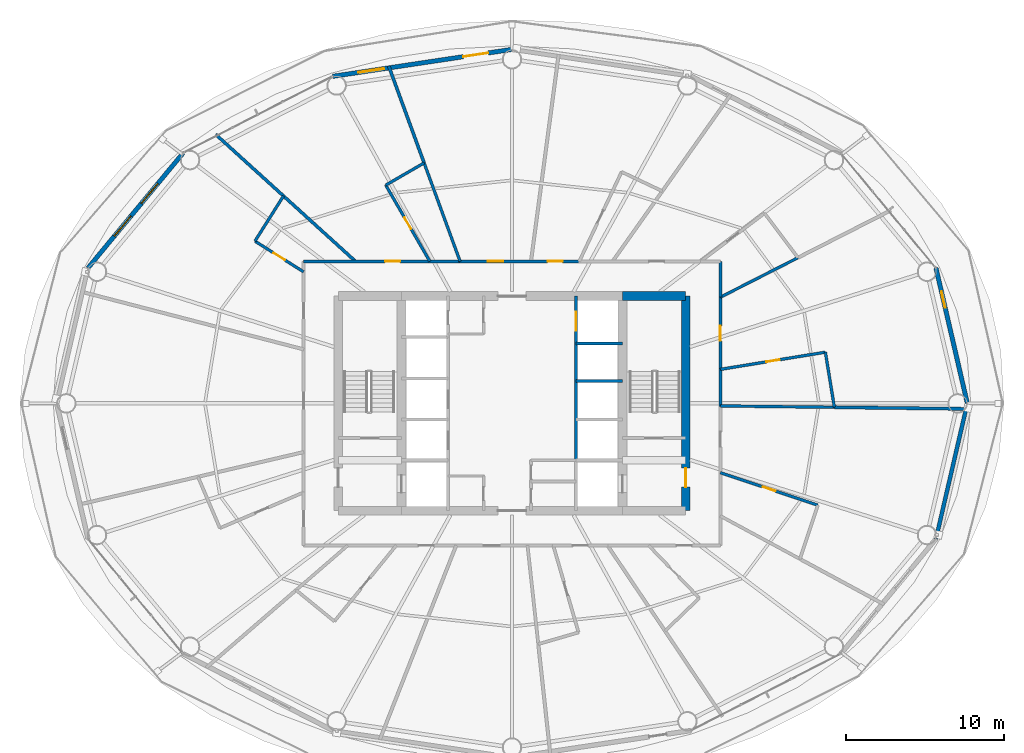
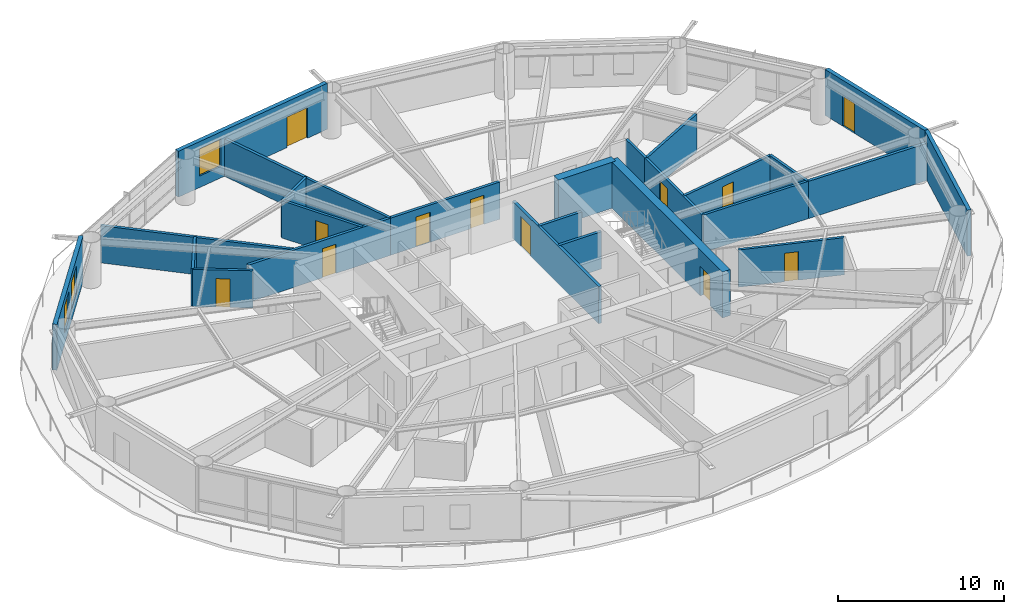
# One storey, part 20 of 24: 26 walls, 12 doors, 3 windows, 15 openings.
"""IFC4 building model written with IfcOpenShell, lengths in metres."""

from ifc_helpers import new_model, si_unit, direction, frame, frame_2d, origin, place, context, subcontext, project, spatial, rectangle, extrude, material, layer, layer_set, type_object, element, fill, save


model = new_model("IFC4")

# Units and contexts
model_context = context("Model", 3, precision=1e-05, world=origin(), true_north=direction((0.0, 1.0)))
body_context = subcontext(model_context, "Body", "Model", "MODEL_VIEW")
ifc_project = project(units=[si_unit("LENGTHUNIT", "METRE"), si_unit("AREAUNIT", "SQUARE_METRE"), si_unit("VOLUMEUNIT", "CUBIC_METRE"), si_unit("PLANEANGLEUNIT", "RADIAN"), si_unit("MASSUNIT", "GRAM", prefix="KILO")], contexts=[model_context])

# Site, building, storey
site_placement = place(None, origin())
site = spatial("IfcSite", under=ifc_project, at=site_placement, CompositionType="ELEMENT")
building_placement = place(site_placement, origin())
building = spatial("IfcBuilding", under=site, at=building_placement, Name="Sarneth Arch Tower", CompositionType="ELEMENT")
storey_placement = place(building_placement, frame((0.0, 0.0, 109.199951171875)))
storey = spatial("IfcBuildingStorey", under=building, at=storey_placement, Name="L27", CompositionType="ELEMENT", Elevation=109.199951171875)

# Wall
ifc_material_1 = material(Name="Concrete C60/75", Category="concrete")
ifc_layer_1 = layer(ifc_material_1, 0.550048828125)
ifc_layer_set_1 = layer_set([ifc_layer_1], Name="Concrete C60/75")
wall_type_1 = type_object("IfcWallType", Name="WALL-CORE-550", PredefinedType="SHEAR", material=ifc_layer_set_1)
wall_1_placement = place(storey_placement, frame((55.0, 48.800048828125, 0.0), z_axis=(0.0, 0.0, 1.0), x_axis=(1.0, 0.0, 0.0)))
element("IfcWall", 1, at=wall_1_placement, inside=storey, type_object=wall_type_1, Name="L27 Core shear wall N-E", PredefinedType="SHEAR", context=body_context, shape_type="SweptSolid", body=[
    extrude(rectangle(XDim=4.0, YDim=0.550048828125, at=frame_2d((2.0, 0.0))), origin(), (0.0, 0.0, 1.0), 3.380126953125),
])

# Wall, opening, door
wall_2_placement = place(storey_placement, frame((59.0, 35.199951171875, 0.0), z_axis=(0.0, 0.0, 1.0), x_axis=(0.0, 1.0, 0.0)))
wall_2 = element("IfcWall", 2, at=wall_2_placement, inside=storey, type_object=wall_type_1, Name="L27 Core shear wall E", PredefinedType="SHEAR", context=body_context, shape_type="SweptSolid", body=[
    extrude(rectangle(XDim=13.60009765625, YDim=0.550048828125, at=frame_2d((6.800048828125, 0.0))), origin(), (0.0, 0.0, 1.0), 3.380126953125),
])
opening_1_placement = place(wall_2_placement, frame((1.5, 0.0, 0.0)))
opening_1 = element("IfcOpeningElement", 3, at=opening_1_placement, cuts=wall_2, Name="Opening FD-02", PredefinedType="OPENING", context=body_context, shape_type="SweptSolid", body=[
    extrude(rectangle(XDim=1.199951171875, YDim=2.14990234375, at=frame_2d((0.60009765625, 1.074951171875))), frame((0.0, 0.284912109375, 0.0), z_axis=(0.0, -1.0, 0.0), x_axis=(1.0, 0.0, 0.0)), (0.0, 0.0, 1.0), 0.570068359375),
])
ifc_material_2 = material(Name="Galvanised Steel S275 fire door set", Category="steel")
door_type_1 = type_object("IfcDoorType", Name="DR-FD90-1200", OperationType="SINGLE_SWING_LEFT", PredefinedType="DOOR", material=ifc_material_2)
door_1_placement = place(opening_1_placement, origin())
door_1 = element("IfcDoor", 4, at=door_1_placement, inside=storey, type_object=door_type_1, Name="L27 Firefighting lobby 2 exit door", OperationType="SINGLE_SWING_RIGHT", OverallHeight=2.14990234375, OverallWidth=1.199951171875, PredefinedType="DOOR", context=body_context, shape_type="SweptSolid", body=[
    extrude(rectangle(XDim=1.199951171875, YDim=2.14990234375, at=frame_2d((0.60009765625, 1.074951171875))), frame((0.0, 0.02490234375, 0.0), z_axis=(0.0, -1.0, 0.0), x_axis=(1.0, 0.0, 0.0)), (0.0, 0.0, 1.0), 0.050048828125),
])
fill(opening_1, door_1)

ifc_material_3 = material(Name="Double steel-stud corridor fire wall", Category="steel")
ifc_layer_2 = layer(ifc_material_3, 0.18994140625)
ifc_layer_set_2 = layer_set([ifc_layer_2], Name="Double steel-stud corridor fire wall")
wall_type_2 = type_object("IfcWallType", Name="WALL-CORR-190", PredefinedType="PARTITIONING", material=ifc_layer_set_2)
wall_3_placement = place(storey_placement, frame((34.800048828125, 51.0, 0.0), z_axis=(0.0, 0.0, 1.0), x_axis=(1.0, 0.0, 0.0)))
wall_3 = element("IfcWall", 5, at=wall_3_placement, inside=storey, type_object=wall_type_2, Name="L27 Interior partition W-L27-TP-007", PredefinedType="PARTITIONING", context=body_context, shape_type="SweptSolid", body=[
    extrude(rectangle(XDim=9.944580078125, YDim=0.18994140625, at=frame_2d((4.97216796875, 0.0))), origin(), (0.0, 0.0, 1.0), 2.739990234375),
])
opening_2_placement = place(wall_3_placement, frame((5.159423828125, 0.0, 0.0)))
opening_2 = element("IfcOpeningElement", 6, at=opening_2_placement, cuts=wall_3, Name="Opening FD-09", PredefinedType="OPENING", context=body_context, shape_type="SweptSolid", body=[
    extrude(rectangle(XDim=0.949951171875, YDim=2.14990234375, at=frame_2d((0.47509765625, 1.074951171875))), frame((0.0, 0.10498046875, 0.0), z_axis=(0.0, -1.0, 0.0), x_axis=(1.0, 0.0, 0.0)), (0.0, 0.0, 1.0), 0.2099609375),
])
ifc_material_4 = material(Name="Hardwood timber hotel entrance fire door", Category="wood")
door_type_2 = type_object("IfcDoorType", Name="DR-FD60-950", OperationType="SINGLE_SWING_RIGHT", PredefinedType="DOOR", material=ifc_material_4)
door_2_placement = place(opening_2_placement, origin())
door_2 = element("IfcDoor", 7, at=door_2_placement, inside=storey, type_object=door_type_2, Name="L27 Interior door DR-L27-KEY-04", OperationType="SINGLE_SWING_LEFT", OverallHeight=2.14990234375, OverallWidth=0.949951171875, PredefinedType="DOOR", context=body_context, shape_type="SweptSolid", body=[
    extrude(rectangle(XDim=0.949951171875, YDim=2.14990234375, at=frame_2d((0.47509765625, 1.074951171875))), frame((0.0, 0.02490234375, 0.0), z_axis=(0.0, -1.0, 0.0), x_axis=(1.0, 0.0, 0.0)), (0.0, 0.0, 1.0), 0.050048828125),
])
fill(opening_2, door_2)

wall_4_placement = place(storey_placement, frame((61.199951171875, 41.80859375, 0.0), z_axis=(0.0, 0.0, 1.0), x_axis=(0.0, 1.0, 0.0)))
wall_4 = element("IfcWall", 8, at=wall_4_placement, inside=storey, type_object=wall_type_2, Name="L27 Interior partition W-L27-TP-026", PredefinedType="PARTITIONING", context=body_context, shape_type="SweptSolid", body=[
    extrude(rectangle(XDim=6.9169921875, YDim=0.18994140625, at=frame_2d((3.45849609375, 0.0))), origin(), (0.0, 0.0, 1.0), 2.739990234375),
])
opening_3_placement = place(wall_4_placement, frame((4.157470703125, 0.0, 0.0)))
opening_3 = element("IfcOpeningElement", 9, at=opening_3_placement, cuts=wall_4, Name="Opening FD-09", PredefinedType="OPENING", context=body_context, shape_type="SweptSolid", body=[
    extrude(rectangle(XDim=0.949951171875, YDim=2.14990234375, at=frame_2d((0.47509765625, 1.074951171875))), frame((0.0, 0.10498046875, 0.0), z_axis=(0.0, -1.0, 0.0), x_axis=(1.0, 0.0, 0.0)), (0.0, 0.0, 1.0), 0.2099609375),
])
door_3_placement = place(opening_3_placement, origin())
door_3 = element("IfcDoor", 10, at=door_3_placement, inside=storey, type_object=door_type_2, Name="L27 Interior door DR-L27-KEY-13", OperationType="SINGLE_SWING_RIGHT", OverallHeight=2.14990234375, OverallWidth=0.949951171875, PredefinedType="DOOR", context=body_context, shape_type="SweptSolid", body=[
    extrude(rectangle(XDim=0.949951171875, YDim=2.14990234375, at=frame_2d((0.47509765625, 1.074951171875))), frame((0.0, 0.02490234375, 0.0), z_axis=(0.0, -1.0, 0.0), x_axis=(1.0, 0.0, 0.0)), (0.0, 0.0, 1.0), 0.050048828125),
])
fill(opening_3, door_3)

# Wall, openings, doors
wall_5_placement = place(storey_placement, frame((44.676513671875, 51.0, 0.0), z_axis=(0.0, 0.0, 1.0), x_axis=(1.0, 0.0, 0.0)))
wall_5 = element("IfcWall", 11, at=wall_5_placement, inside=storey, type_object=wall_type_2, Name="L27 Interior partition W-L27-TP-006", PredefinedType="PARTITIONING", context=body_context, shape_type="SweptSolid", body=[
    extrude(rectangle(XDim=7.62060546875, YDim=0.18994140625, at=frame_2d((3.810302734375, 0.0))), origin(), (0.0, 0.0, 1.0), 2.739990234375),
])
opening_4_placement = place(wall_5_placement, frame((1.779541015625, 0.0, 0.0)))
opening_4 = element("IfcOpeningElement", 12, at=opening_4_placement, cuts=wall_5, Name="Opening FD-08", PredefinedType="OPENING", context=body_context, shape_type="SweptSolid", body=[
    extrude(rectangle(XDim=1.0, YDim=2.199951171875, at=frame_2d((0.5, 1.10009765625))), frame((0.0, 0.10498046875, 0.0), z_axis=(0.0, -1.0, 0.0), x_axis=(1.0, 0.0, 0.0)), (0.0, 0.0, 1.0), 0.2099609375),
])
opening_5_placement = place(wall_5_placement, frame((5.58251953125, 0.0, 0.0)))
opening_5 = element("IfcOpeningElement", 13, at=opening_5_placement, cuts=wall_5, Name="Opening FD-09", PredefinedType="OPENING", context=body_context, shape_type="SweptSolid", body=[
    extrude(rectangle(XDim=0.949951171875, YDim=2.14990234375, at=frame_2d((0.47509765625, 1.074951171875))), frame((0.0, 0.10498046875, 0.0), z_axis=(0.0, -1.0, 0.0), x_axis=(1.0, 0.0, 0.0)), (0.0, 0.0, 1.0), 0.2099609375),
])
ifc_material_5 = material(Name="Hardwood timber acoustic fire door", Category="wood")
door_type_3 = type_object("IfcDoorType", Name="DR-FD60-1000", OperationType="SINGLE_SWING_LEFT", PredefinedType="DOOR", material=ifc_material_5)
door_4_placement = place(opening_4_placement, origin())
door_4 = element("IfcDoor", 14, at=door_4_placement, inside=storey, type_object=door_type_3, Name="L27 Interior door DR-L27-AMN-03", OperationType="SINGLE_SWING_RIGHT", OverallHeight=2.199951171875, OverallWidth=1.0, PredefinedType="DOOR", context=body_context, shape_type="SweptSolid", body=[
    extrude(rectangle(XDim=1.0, YDim=2.199951171875, at=frame_2d((0.5, 1.10009765625))), frame((0.0, 0.02490234375, 0.0), z_axis=(0.0, -1.0, 0.0), x_axis=(1.0, 0.0, 0.0)), (0.0, 0.0, 1.0), 0.050048828125),
])
fill(opening_4, door_4)
door_5_placement = place(opening_5_placement, origin())
door_5 = element("IfcDoor", 15, at=door_5_placement, inside=storey, type_object=door_type_2, Name="L27 Interior door DR-L27-KEY-02", OperationType="SINGLE_SWING_RIGHT", OverallHeight=2.14990234375, OverallWidth=0.949951171875, PredefinedType="DOOR", context=body_context, shape_type="SweptSolid", body=[
    extrude(rectangle(XDim=0.949951171875, YDim=2.14990234375, at=frame_2d((0.47509765625, 1.074951171875))), frame((0.0, 0.02490234375, 0.0), z_axis=(0.0, -1.0, 0.0), x_axis=(1.0, 0.0, 0.0)), (0.0, 0.0, 1.0), 0.050048828125),
])
fill(opening_5, door_5)

# Wall
ifc_material_6 = material(Name="Extruded terracotta rainscreen on Concrete C40/50 backing", Category="masonry")
ifc_layer_3 = layer(ifc_material_6, 0.25)
ifc_layer_set_3 = layer_set([ifc_layer_3], Name="Extruded terracotta rainscreen on Concrete C40/50 backing")
wall_type_3 = type_object("IfcWallType", Name="WALL-EXT-SPAND-250", PredefinedType="SOLIDWALL", material=ifc_layer_set_3)
wall_6_placement = place(storey_placement, frame((74.861328125, 33.41650390625, 0.0), z_axis=(0.0, 0.0, 1.0), x_axis=(0.22558597182, 0.974223264616, 0.0)))
element("IfcWall", 16, at=wall_6_placement, inside=storey, type_object=wall_type_3, Name="L27 Terracotta perimeter wall 16", PredefinedType="SOLIDWALL", context=body_context, shape_type="SweptSolid", body=[
    extrude(rectangle(XDim=8.810546875, YDim=0.25, at=frame_2d((4.4052734375, 0.0))), origin(), (0.0, 0.0, 1.0), 3.380126953125),
])

# Wall, opening, door
ifc_material_7 = material(Name="Extruded terracotta rainscreen on Concrete C40/50 backing", Category="masonry")
ifc_layer_4 = layer(ifc_material_7, 0.280029296875)
ifc_layer_set_4 = layer_set([ifc_layer_4], Name="Extruded terracotta rainscreen on Concrete C40/50 backing")
wall_type_4 = type_object("IfcWallType", Name="WALL-EXT-TERRA-280", PredefinedType="SOLIDWALL", material=ifc_layer_set_4)
wall_7_placement = place(storey_placement, frame((76.848876953125, 42.0, 0.0), z_axis=(0.0, 0.0, 1.0), x_axis=(-0.22558597182, 0.974223264616, 0.0)))
wall_7 = element("IfcWall", 17, at=wall_7_placement, inside=storey, type_object=wall_type_4, Name="L27 Terracotta perimeter wall 01", PredefinedType="SOLIDWALL", context=body_context, shape_type="SweptSolid", body=[
    extrude(rectangle(XDim=8.810546875, YDim=0.280029296875, at=frame_2d((4.4052734375, 0.0))), origin(), (0.0, 0.0, 1.0), 3.380126953125),
])
opening_6_placement = place(wall_7_placement, frame((6.224609375, 0.0, 0.0)))
opening_6 = element("IfcOpeningElement", 18, at=opening_6_placement, cuts=wall_7, Name="Opening BD-4", PredefinedType="OPENING", context=body_context, shape_type="SweptSolid", body=[
    extrude(rectangle(XDim=1.050048828125, YDim=2.199951171875, at=frame_2d((0.52490234375, 1.10009765625))), frame((0.0, 0.14990234375, 0.0), z_axis=(0.0, -1.0, 0.0), x_axis=(1.0, 0.0, 0.0)), (0.0, 0.0, 1.0), 0.300048828125),
])
ifc_material_8 = material(Name="Thermally broken Aluminium 6063-T6 and laminated safety glass", Category="aluminium")
door_type_4 = type_object("IfcDoorType", Name="DR-BALC-GLZ-1050", OperationType="SINGLE_SWING_RIGHT", PredefinedType="DOOR", material=ifc_material_8)
door_6_placement = place(opening_6_placement, origin())
door_6 = element("IfcDoor", 19, at=door_6_placement, inside=storey, type_object=door_type_4, Name="L27 Balcony glazed door 01", OperationType="SINGLE_SWING_RIGHT", OverallHeight=2.199951171875, OverallWidth=1.050048828125, PredefinedType="DOOR", context=body_context, shape_type="SweptSolid", body=[
    extrude(rectangle(XDim=1.050048828125, YDim=2.199951171875, at=frame_2d((0.52490234375, 1.10009765625))), frame((0.0, 0.02490234375, 0.0), z_axis=(0.0, -1.0, 0.0), x_axis=(1.0, 0.0, 0.0)), (0.0, 0.0, 1.0), 0.050048828125),
])
fill(opening_6, door_6)

# Wall, openings, door, window
wall_8_placement = place(storey_placement, frame((48.0, 64.429931640625, 0.0), z_axis=(0.0, 0.0, 1.0), x_axis=(-0.988877774656, -0.148730450117, 0.0)))
wall_8 = element("IfcWall", 20, at=wall_8_placement, inside=storey, type_object=wall_type_4, Name="L27 Terracotta perimeter wall 05", PredefinedType="SOLIDWALL", context=body_context, shape_type="SweptSolid", body=[
    extrude(rectangle(XDim=11.47900390625, YDim=0.280029296875, at=frame_2d((5.739501953125, 0.0))), origin(), (0.0, 0.0, 1.0), 3.380126953125),
])
opening_7_placement = place(wall_8_placement, frame((1.523681640625, 0.0, 0.0)))
opening_7 = element("IfcOpeningElement", 21, at=opening_7_placement, cuts=wall_8, Name="Opening BD-1", PredefinedType="OPENING", context=body_context, shape_type="SweptSolid", body=[
    extrude(rectangle(XDim=1.60009765625, YDim=2.25, at=frame_2d((0.800048828125, 1.125))), frame((0.0, 0.14990234375, 0.0), z_axis=(0.0, -1.0, 0.0), x_axis=(1.0, 0.0, 0.0)), (0.0, 0.0, 1.0), 0.300048828125),
])
opening_8_placement = place(wall_8_placement, frame((8.20458984375, 0.0, 0.85009765625)))
opening_8 = element("IfcOpeningElement", 22, at=opening_8_placement, cuts=wall_8, Name="Opening W-05", PredefinedType="OPENING", context=body_context, shape_type="SweptSolid", body=[
    extrude(rectangle(XDim=1.64990234375, YDim=2.0, at=frame_2d((0.824951171875, 1.0))), frame((0.0, 0.14990234375, 0.0), z_axis=(0.0, -1.0, 0.0), x_axis=(1.0, 0.0, 0.0)), (0.0, 0.0, 1.0), 0.300048828125),
])
ifc_material_9 = material(Name="Thermally broken Aluminium 6063-T6 and laminated safety glass", Category="aluminium")
door_type_5 = type_object("IfcDoorType", Name="DR-BALC-GLZ-1600", OperationType="DOUBLE_DOOR_SINGLE_SWING", PredefinedType="DOOR", material=ifc_material_9)
door_7_placement = place(opening_7_placement, origin())
door_7 = element("IfcDoor", 23, at=door_7_placement, inside=storey, type_object=door_type_5, Name="L27 Balcony glazed door 05", OperationType="DOUBLE_DOOR_SINGLE_SWING", OverallHeight=2.25, OverallWidth=1.60009765625, PredefinedType="DOOR", context=body_context, shape_type="SweptSolid", body=[
    extrude(rectangle(XDim=1.60009765625, YDim=2.25, at=frame_2d((0.800048828125, 1.125))), frame((0.0, 0.02490234375, 0.0), z_axis=(0.0, -1.0, 0.0), x_axis=(1.0, 0.0, 0.0)), (0.0, 0.0, 1.0), 0.050048828125),
])
fill(opening_7, door_7)
ifc_material_10 = material(Name="Thermally broken Aluminium 6063-T6 and low-e laminated IGU", Category="aluminium")
window_type = type_object("IfcWindowType", Name="WIN-TWR-1650x2000", PartitioningType="DOUBLE_PANEL_VERTICAL", PredefinedType="WINDOW", material=ifc_material_10)
window_1_placement = place(opening_8_placement, origin())
window_1 = element("IfcWindow", 24, at=window_1_placement, inside=storey, type_object=window_type, Name="L27 Exterior window 05A", OverallHeight=2.0, OverallWidth=1.64990234375, PartitioningType="SINGLE_PANEL", PredefinedType="WINDOW", context=body_context, shape_type="SweptSolid", body=[
    extrude(rectangle(XDim=1.64990234375, YDim=2.0, at=frame_2d((0.824951171875, 1.0))), frame((0.0, 0.030029296875, 0.0), z_axis=(0.0, -1.0, 0.0), x_axis=(1.0, 0.0, 0.0)), (0.0, 0.0, 1.0), 0.06005859375),
])
fill(opening_8, window_1)

# Wall, openings, windows
wall_9_placement = place(storey_placement, frame((27.159912109375, 57.8603515625, 0.0), z_axis=(0.0, 0.0, 1.0), x_axis=(-0.637505817448, -0.770445541696, 0.0)))
wall_9 = element("IfcWall", 25, at=wall_9_placement, inside=storey, type_object=wall_type_4, Name="L27 Terracotta perimeter wall 07", PredefinedType="SOLIDWALL", context=body_context, shape_type="SweptSolid", body=[
    extrude(rectangle(XDim=9.445068359375, YDim=0.280029296875, at=frame_2d((4.72265625, 0.0))), origin(), (0.0, 0.0, 1.0), 3.380126953125),
])
opening_9_placement = place(wall_9_placement, frame((2.49658203125, 0.0, 0.85009765625)))
opening_9 = element("IfcOpeningElement", 26, at=opening_9_placement, cuts=wall_9, Name="Opening W-05", PredefinedType="OPENING", context=body_context, shape_type="SweptSolid", body=[
    extrude(rectangle(XDim=1.64990234375, YDim=2.0, at=frame_2d((0.824951171875, 1.0))), frame((0.0, 0.14990234375, 0.0), z_axis=(0.0, -1.0, 0.0), x_axis=(1.0, 0.0, 0.0)), (0.0, 0.0, 1.0), 0.300048828125),
])
opening_10_placement = place(wall_9_placement, frame((5.181884765625, 0.0, 0.85009765625)))
opening_10 = element("IfcOpeningElement", 27, at=opening_10_placement, cuts=wall_9, Name="Opening W-05", PredefinedType="OPENING", context=body_context, shape_type="SweptSolid", body=[
    extrude(rectangle(XDim=1.64990234375, YDim=2.0, at=frame_2d((0.824951171875, 1.0))), frame((0.0, 0.14990234375, 0.0), z_axis=(0.0, -1.0, 0.0), x_axis=(1.0, 0.0, 0.0)), (0.0, 0.0, 1.0), 0.300048828125),
])
window_2_placement = place(opening_9_placement, origin())
window_2 = element("IfcWindow", 28, at=window_2_placement, inside=storey, type_object=window_type, Name="L27 Exterior window 07A", OverallHeight=2.0, OverallWidth=1.64990234375, PartitioningType="SINGLE_PANEL", PredefinedType="WINDOW", context=body_context, shape_type="SweptSolid", body=[
    extrude(rectangle(XDim=1.64990234375, YDim=2.0, at=frame_2d((0.824951171875, 1.0))), frame((0.0, 0.030029296875, 0.0), z_axis=(0.0, -1.0, 0.0), x_axis=(1.0, 0.0, 0.0)), (0.0, 0.0, 1.0), 0.06005859375),
])
fill(opening_9, window_2)
window_3_placement = place(opening_10_placement, origin())
window_3 = element("IfcWindow", 29, at=window_3_placement, inside=storey, type_object=window_type, Name="L27 Exterior window 07B", OverallHeight=2.0, OverallWidth=1.64990234375, PartitioningType="SINGLE_PANEL", PredefinedType="WINDOW", context=body_context, shape_type="SweptSolid", body=[
    extrude(rectangle(XDim=1.64990234375, YDim=2.0, at=frame_2d((0.824951171875, 1.0))), frame((0.0, 0.030029296875, 0.0), z_axis=(0.0, -1.0, 0.0), x_axis=(1.0, 0.0, 0.0)), (0.0, 0.0, 1.0), 0.06005859375),
])
fill(opening_10, window_3)

# Wall
ifc_material_11 = material(Name="Moisture-resistant plumbing chase wall", Category="gypsum")
ifc_layer_5 = layer(ifc_material_11, 0.179931640625)
ifc_layer_set_5 = layer_set([ifc_layer_5], Name="Moisture-resistant plumbing chase wall")
wall_type_5 = type_object("IfcWallType", Name="WALL-PLUMB-180", PredefinedType="PLUMBINGWALL", material=ifc_layer_set_5)
wall_10_placement = place(storey_placement, frame((68.4248046875, 41.753173828125, 0.0), z_axis=(0.0, 0.0, 1.0), x_axis=(-0.999926833816, 0.012096570355, 0.0)))
element("IfcWall", 30, at=wall_10_placement, inside=storey, type_object=wall_type_5, Name="L27 Interior partition W-L27-TP-068", PredefinedType="PLUMBINGWALL", context=body_context, shape_type="SweptSolid", body=[
    extrude(rectangle(XDim=7.225341796875, YDim=0.179931640625, at=frame_2d((3.61279296875, 0.0))), origin(), (0.0, 0.0, 1.0), 2.739990234375),
])

# Wall, opening, door
wall_11_placement = place(storey_placement, frame((61.199951171875, 44.156005859375, 0.0), z_axis=(0.0, 0.0, 1.0), x_axis=(0.986917247844, 0.161227621419, 0.0)))
wall_11 = element("IfcWall", 31, at=wall_11_placement, inside=storey, type_object=wall_type_5, Name="L27 Interior partition W-L27-TP-069", PredefinedType="PLUMBINGWALL", context=body_context, shape_type="SweptSolid", body=[
    extrude(rectangle(XDim=6.742919921875, YDim=0.179931640625, at=frame_2d((3.37158203125, 0.0))), origin(), (0.0, 0.0, 1.0), 2.739990234375),
])
opening_11_placement = place(wall_11_placement, frame((2.9462890625, 0.0, 0.0)))
opening_11 = element("IfcOpeningElement", 32, at=opening_11_placement, cuts=wall_11, Name="Opening ID-02", PredefinedType="OPENING", context=body_context, shape_type="SweptSolid", body=[
    extrude(rectangle(XDim=0.85009765625, YDim=2.10009765625, at=frame_2d((0.425048828125, 1.050048828125))), frame((0.0, 0.099853515625, 0.0), z_axis=(0.0, -1.0, 0.0), x_axis=(1.0, 0.0, 0.0)), (0.0, 0.0, 1.0), 0.199951171875),
])
ifc_material_12 = material(Name="Moisture-resistant bathroom timber door", Category="wood")
door_type_6 = type_object("IfcDoorType", Name="DR-INT-850", OperationType="SINGLE_SWING_RIGHT", PredefinedType="DOOR", material=ifc_material_12)
door_8_placement = place(opening_11_placement, origin())
door_8 = element("IfcDoor", 33, at=door_8_placement, inside=storey, type_object=door_type_6, Name="L27 Interior door DR-L27-ENS-13", OperationType="SINGLE_SWING_LEFT", OverallHeight=2.10009765625, OverallWidth=0.85009765625, PredefinedType="DOOR", context=body_context, shape_type="SweptSolid", body=[
    extrude(rectangle(XDim=0.85009765625, YDim=2.10009765625, at=frame_2d((0.425048828125, 1.050048828125))), frame((0.0, 0.02490234375, 0.0), z_axis=(0.0, -1.0, 0.0), x_axis=(1.0, 0.0, 0.0)), (0.0, 0.0, 1.0), 0.050048828125),
])
fill(opening_11, door_8)

# Wall
wall_12_placement = place(storey_placement, frame((42.431884765625, 57.234375, 0.0), z_axis=(0.0, 0.0, 1.0), x_axis=(0.343307767445, -0.939222964376, 0.0)))
element("IfcWall", 34, at=wall_12_placement, inside=storey, type_object=wall_type_5, Name="L27 Interior partition W-L27-TP-038", PredefinedType="PLUMBINGWALL", context=body_context, shape_type="SweptSolid", body=[
    extrude(rectangle(XDim=6.6376953125, YDim=0.179931640625, at=frame_2d((3.31884765625, 0.0))), origin(), (0.0, 0.0, 1.0), 2.739990234375),
])

# Wall, opening, door
wall_13_placement = place(storey_placement, frame((61.199951171875, 37.60498046875, 0.0), z_axis=(0.0, 0.0, 1.0), x_axis=(0.948788249983, -0.315912735884, 0.0)))
wall_13 = element("IfcWall", 35, at=wall_13_placement, inside=storey, type_object=wall_type_5, Name="L27 Interior partition W-L27-TP-065", PredefinedType="PLUMBINGWALL", context=body_context, shape_type="SweptSolid", body=[
    extrude(rectangle(XDim=6.51025390625, YDim=0.179931640625, at=frame_2d((3.255126953125, 0.0))), origin(), (0.0, 0.0, 1.0), 2.739990234375),
])
opening_12_placement = place(wall_13_placement, frame((2.830078125, 0.0, 0.0)))
opening_12 = element("IfcOpeningElement", 36, at=opening_12_placement, cuts=wall_13, Name="Opening ID-02", PredefinedType="OPENING", context=body_context, shape_type="SweptSolid", body=[
    extrude(rectangle(XDim=0.85009765625, YDim=2.10009765625, at=frame_2d((0.425048828125, 1.050048828125))), frame((0.0, 0.099853515625, 0.0), z_axis=(0.0, -1.0, 0.0), x_axis=(1.0, 0.0, 0.0)), (0.0, 0.0, 1.0), 0.199951171875),
])
door_9_placement = place(opening_12_placement, origin())
door_9 = element("IfcDoor", 37, at=door_9_placement, inside=storey, type_object=door_type_6, Name="L27 Interior door DR-L27-ENS-12", OperationType="SINGLE_SWING_LEFT", OverallHeight=2.10009765625, OverallWidth=0.85009765625, PredefinedType="DOOR", context=body_context, shape_type="SweptSolid", body=[
    extrude(rectangle(XDim=0.85009765625, YDim=2.10009765625, at=frame_2d((0.425048828125, 1.050048828125))), frame((0.0, 0.02490234375, 0.0), z_axis=(0.0, -1.0, 0.0), x_axis=(1.0, 0.0, 0.0)), (0.0, 0.0, 1.0), 0.050048828125),
])
fill(opening_12, door_9)

wall_14_placement = place(storey_placement, frame((42.794189453125, 51.0, 0.0), z_axis=(0.0, 0.0, 1.0), x_axis=(-0.500713600684, 0.865613014049, 0.0)))
wall_14 = element("IfcWall", 38, at=wall_14_placement, inside=storey, type_object=wall_type_5, Name="L27 Interior partition W-L27-TP-039", PredefinedType="PLUMBINGWALL", context=body_context, shape_type="SweptSolid", body=[
    extrude(rectangle(XDim=5.577880859375, YDim=0.179931640625, at=frame_2d((2.7890625, 0.0))), origin(), (0.0, 0.0, 1.0), 2.739990234375),
])
opening_13_placement = place(wall_14_placement, frame((2.364013671875, 0.0, 0.0)))
opening_13 = element("IfcOpeningElement", 39, at=opening_13_placement, cuts=wall_14, Name="Opening ID-02", PredefinedType="OPENING", context=body_context, shape_type="SweptSolid", body=[
    extrude(rectangle(XDim=0.85009765625, YDim=2.10009765625, at=frame_2d((0.425048828125, 1.050048828125))), frame((0.0, 0.099853515625, 0.0), z_axis=(0.0, -1.0, 0.0), x_axis=(1.0, 0.0, 0.0)), (0.0, 0.0, 1.0), 0.199951171875),
])
door_10_placement = place(opening_13_placement, origin())
door_10 = element("IfcDoor", 40, at=door_10_placement, inside=storey, type_object=door_type_6, Name="L27 Interior door DR-L27-ENS-04", OperationType="SINGLE_SWING_LEFT", OverallHeight=2.10009765625, OverallWidth=0.85009765625, PredefinedType="DOOR", context=body_context, shape_type="SweptSolid", body=[
    extrude(rectangle(XDim=0.85009765625, YDim=2.10009765625, at=frame_2d((0.425048828125, 1.050048828125))), frame((0.0, 0.02490234375, 0.0), z_axis=(0.0, -1.0, 0.0), x_axis=(1.0, 0.0, 0.0)), (0.0, 0.0, 1.0), 0.050048828125),
])
fill(opening_13, door_10)

# Wall
wall_15_placement = place(storey_placement, frame((66.117919921875, 51.2314453125, 0.0), z_axis=(0.0, 0.0, 1.0), x_axis=(-0.891004388837, -0.453994690579, 0.0)))
element("IfcWall", 41, at=wall_15_placement, inside=storey, type_object=wall_type_5, Name="L27 Interior partition W-L27-TP-033", PredefinedType="PLUMBINGWALL", context=body_context, shape_type="SweptSolid", body=[
    extrude(rectangle(XDim=5.51953125, YDim=0.179931640625, at=frame_2d((2.759765625, 0.0))), origin(), (0.0, 0.0, 1.0), 2.739990234375),
])

# Wall, opening, door
wall_16_placement = place(storey_placement, frame((31.71484375, 52.27978515625, 0.0), z_axis=(0.0, 0.0, 1.0), x_axis=(0.845617675202, -0.533789047645, 0.0)))
wall_16 = element("IfcWall", 42, at=wall_16_placement, inside=storey, type_object=wall_type_5, Name="L27 Interior partition W-L27-TP-044", PredefinedType="PLUMBINGWALL", context=body_context, shape_type="SweptSolid", body=[
    extrude(rectangle(XDim=3.6484375, YDim=0.179931640625, at=frame_2d((1.82421875, 0.0))), origin(), (0.0, 0.0, 1.0), 2.739990234375),
])
opening_14_placement = place(wall_16_placement, frame((1.399169921875, 0.0, 0.0)))
opening_14 = element("IfcOpeningElement", 43, at=opening_14_placement, cuts=wall_16, Name="Opening ID-02", PredefinedType="OPENING", context=body_context, shape_type="SweptSolid", body=[
    extrude(rectangle(XDim=0.85009765625, YDim=2.10009765625, at=frame_2d((0.425048828125, 1.050048828125))), frame((0.0, 0.099853515625, 0.0), z_axis=(0.0, -1.0, 0.0), x_axis=(1.0, 0.0, 0.0)), (0.0, 0.0, 1.0), 0.199951171875),
])
door_11_placement = place(opening_14_placement, origin())
door_11 = element("IfcDoor", 44, at=door_11_placement, inside=storey, type_object=door_type_6, Name="L27 Interior door DR-L27-ENS-05", OperationType="SINGLE_SWING_LEFT", OverallHeight=2.10009765625, OverallWidth=0.85009765625, PredefinedType="DOOR", context=body_context, shape_type="SweptSolid", body=[
    extrude(rectangle(XDim=0.85009765625, YDim=2.10009765625, at=frame_2d((0.425048828125, 1.050048828125))), frame((0.0, 0.02490234375, 0.0), z_axis=(0.0, -1.0, 0.0), x_axis=(1.0, 0.0, 0.0)), (0.0, 0.0, 1.0), 0.050048828125),
])
fill(opening_14, door_11)

# Walls
wall_17_placement = place(storey_placement, frame((67.854736328125, 45.2431640625, 0.0), z_axis=(0.0, 0.0, 1.0), x_axis=(0.161207379819, -0.986920554397, 0.0)))
element("IfcWall", 45, at=wall_17_placement, inside=storey, type_object=wall_type_5, Name="L27 Interior partition W-L27-TP-070", PredefinedType="PLUMBINGWALL", context=body_context, shape_type="SweptSolid", body=[
    extrude(rectangle(XDim=3.5361328125, YDim=0.179931640625, at=frame_2d((1.76806640625, 0.0))), origin(), (0.0, 0.0, 1.0), 2.739990234375),
])
wall_18_placement = place(storey_placement, frame((33.521728515625, 55.14208984375, 0.0), z_axis=(0.0, 0.0, 1.0), x_axis=(-0.533805735916, -0.845607140641, 0.0)))
element("IfcWall", 46, at=wall_18_placement, inside=storey, type_object=wall_type_5, Name="L27 Interior partition W-L27-TP-043", PredefinedType="PLUMBINGWALL", context=body_context, shape_type="SweptSolid", body=[
    extrude(rectangle(XDim=3.385009765625, YDim=0.179931640625, at=frame_2d((1.6923828125, 0.0))), origin(), (0.0, 0.0, 1.0), 2.739990234375),
])
wall_19_placement = place(storey_placement, frame((40.001220703125, 55.828369140625, 0.0), z_axis=(0.0, 0.0, 1.0), x_axis=(0.865614723212, 0.50071064594, 0.0)))
element("IfcWall", 47, at=wall_19_placement, inside=storey, type_object=wall_type_5, Name="L27 Interior partition W-L27-TP-040", PredefinedType="PLUMBINGWALL", context=body_context, shape_type="SweptSolid", body=[
    extrude(rectangle(XDim=2.80810546875, YDim=0.179931640625, at=frame_2d((1.404052734375, 0.0))), origin(), (0.0, 0.0, 1.0), 2.739990234375),
])
wall_20_placement = place(storey_placement, frame((61.199951171875, 48.7255859375, 0.0), z_axis=(0.0, 0.0, 1.0), x_axis=(0.0, 1.0, 0.0)))
element("IfcWall", 48, at=wall_20_placement, inside=storey, type_object=wall_type_5, Name="L27 Interior partition W-L27-TP-002", PredefinedType="PLUMBINGWALL", context=body_context, shape_type="SweptSolid", body=[
    extrude(rectangle(XDim=2.2744140625, YDim=0.179931640625, at=frame_2d((1.13720703125, 0.0))), origin(), (0.0, 0.0, 1.0), 2.739990234375),
])

# Wall, opening, door
ifc_material_13 = material(Name="Aerated concrete blockwork C25/30", Category="masonry")
ifc_layer_6 = layer(ifc_material_13, 0.199951171875)
ifc_layer_set_6 = layer_set([ifc_layer_6], Name="Aerated concrete blockwork C25/30")
wall_type_6 = type_object("IfcWallType", Name="WALL-SHAFT-200", PredefinedType="SOLIDWALL", material=ifc_layer_set_6)
wall_21_placement = place(storey_placement, frame((52.050048828125, 38.39990234375, 0.0), z_axis=(0.0, 0.0, 1.0), x_axis=(0.0, 1.0, 0.0)))
wall_21 = element("IfcWall", 49, at=wall_21_placement, inside=storey, type_object=wall_type_6, Name="L27 Interior partition W-L27-EASTBANK-FRONT", PredefinedType="SOLIDWALL", context=body_context, shape_type="SweptSolid", body=[
    extrude(rectangle(XDim=10.400146484375, YDim=0.199951171875, at=frame_2d((5.2001953125, 0.0))), origin(), (0.0, 0.0, 1.0), 2.739990234375),
])
opening_15_placement = place(wall_21_placement, frame((8.199951171875, 0.0, 0.0)))
opening_15 = element("IfcOpeningElement", 50, at=opening_15_placement, cuts=wall_21, Name="Opening LD-2", PredefinedType="OPENING", context=body_context, shape_type="SweptSolid", body=[
    extrude(rectangle(XDim=1.199951171875, YDim=2.199951171875, at=frame_2d((0.60009765625, 1.10009765625))), frame((0.0, 0.10986328125, 0.0), z_axis=(0.0, -1.0, 0.0), x_axis=(1.0, 0.0, 0.0)), (0.0, 0.0, 1.0), 0.219970703125),
])
ifc_material_14 = material(Name="Brushed Stainless Steel 304 service lift door", Category="steel")
door_type_7 = type_object("IfcDoorType", Name="DR-LIFT-SLIDE-1200", OperationType="SLIDING_TO_RIGHT", PredefinedType="DOOR", material=ifc_material_14)
door_12_placement = place(opening_15_placement, origin())
door_12 = element("IfcDoor", 51, at=door_12_placement, inside=storey, type_object=door_type_7, Name="L27 Lift landing door DR-L27-LD-SL1", OperationType="SLIDING_TO_RIGHT", OverallHeight=2.199951171875, OverallWidth=1.199951171875, PredefinedType="DOOR", context=body_context, shape_type="SweptSolid", body=[
    extrude(rectangle(XDim=1.199951171875, YDim=2.199951171875, at=frame_2d((0.60009765625, 1.10009765625))), frame((0.0, 0.02490234375, 0.0), z_axis=(0.0, -1.0, 0.0), x_axis=(1.0, 0.0, 0.0)), (0.0, 0.0, 1.0), 0.050048828125),
])
fill(opening_15, door_12)

# Walls
for number, where, z_axis, x_axis, name in (
    (52, (52.050048828125, 43.419921875, 0.0), (0.0, 0.0, 1.0), (1.0, 0.0, 0.0), "L27 Interior partition W-L27-EB-DIV-4342"),
    (53, (52.050048828125, 45.800048828125, 0.0), (0.0, 0.0, 1.0), (1.0, 0.0, 0.0), "L27 Interior partition W-L27-EB-DIV-4580"),
):
    element("IfcWall", number, at=place(storey_placement, frame(where, z_axis=z_axis, x_axis=x_axis)), inside=storey, type_object=wall_type_6, Name=name, PredefinedType="SOLIDWALL", context=body_context, shape_type="SweptSolid", body=[
        extrude(rectangle(XDim=2.949951171875, YDim=0.199951171875, at=frame_2d((1.47509765625, 0.0))), origin(), (0.0, 0.0, 1.0), 2.739990234375),
    ])
ifc_material_15 = material(Name="Double steel-stud acoustic drywall", Category="steel")
ifc_layer_7 = layer(ifc_material_15, 0.199951171875)
ifc_layer_set_7 = layer_set([ifc_layer_7], Name="Double steel-stud acoustic drywall")
wall_type_7 = type_object("IfcWallType", Name="WALL-UNIT-200", PredefinedType="PARTITIONING", material=ifc_layer_set_7)
wall_22_placement = place(storey_placement, frame((76.888427734375, 41.65087890625, 0.0), z_axis=(0.0, 0.0, 1.0), x_axis=(-0.9999269672, 0.012085539541, 0.0)))
element("IfcWall", 54, at=wall_22_placement, inside=storey, type_object=wall_type_7, Name="L27 Interior partition W-L27-TP-067", PredefinedType="PARTITIONING", context=body_context, shape_type="SweptSolid", body=[
    extrude(rectangle(XDim=8.46435546875, YDim=0.199951171875, at=frame_2d((4.232177734375, 0.0))), origin(), (0.0, 0.0, 1.0), 2.739990234375),
])
wall_23_placement = place(storey_placement, frame((40.18798828125, 63.373779296875, 0.0), z_axis=(0.0, 0.0, 1.0), x_axis=(0.343281030887, -0.939232736777, 0.0)))
element("IfcWall", 55, at=wall_23_placement, inside=storey, type_object=wall_type_7, Name="L27 Interior partition W-L27-TP-037", PredefinedType="PARTITIONING", context=body_context, shape_type="SweptSolid", body=[
    extrude(rectangle(XDim=6.53662109375, YDim=0.199951171875, at=frame_2d((3.268310546875, 0.0))), origin(), (0.0, 0.0, 1.0), 2.739990234375),
])
wall_24_placement = place(storey_placement, frame((38.085205078125, 51.0, 0.0), z_axis=(0.0, 0.0, 1.0), x_axis=(-0.74043922717, 0.672123315224, 0.0)))
element("IfcWall", 56, at=wall_24_placement, inside=storey, type_object=wall_type_7, Name="L27 Interior partition W-L27-TP-042", PredefinedType="PARTITIONING", context=body_context, shape_type="SweptSolid", body=[
    extrude(rectangle(XDim=11.96826171875, YDim=0.199951171875, at=frame_2d((5.984130859375, 0.0))), origin(), (0.0, 0.0, 1.0), 2.739990234375),
])

save(model, "model.ifc")
